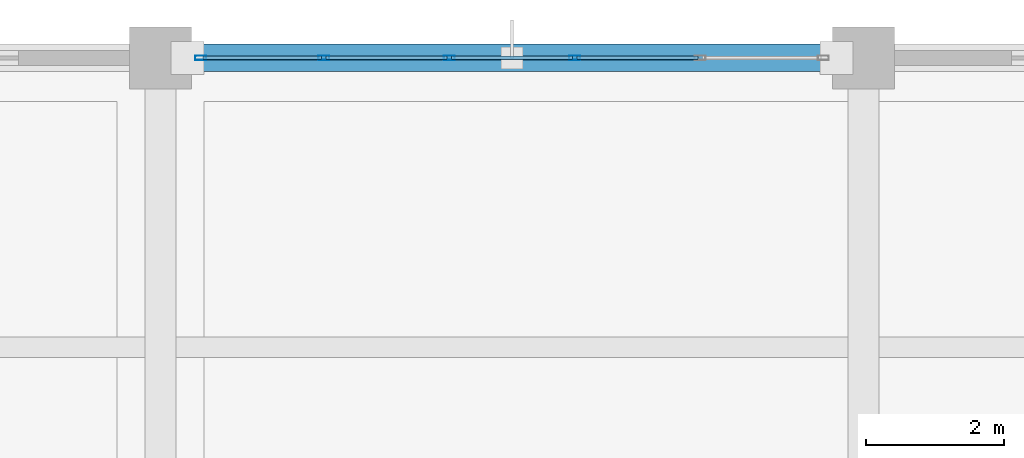
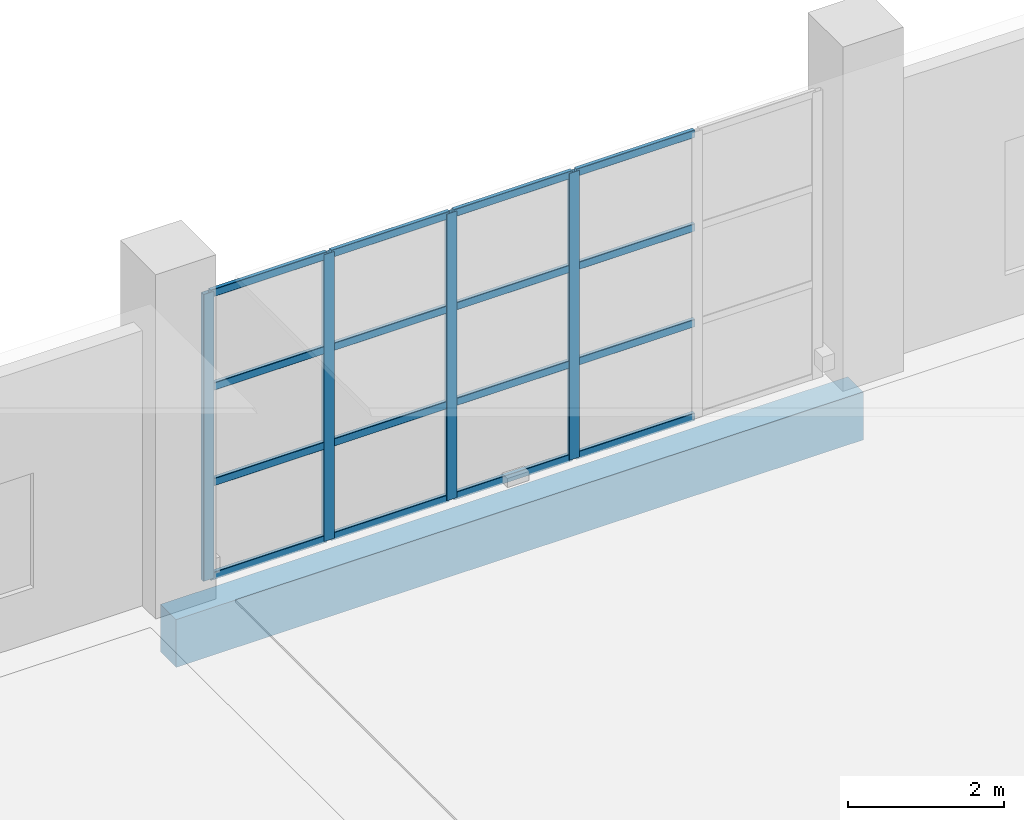
# One storey, part 93 of 175: 20 members, 1 beam, 1 element without a shape of its own.
"""IFC4 building model written with IfcOpenShell, lengths in metres."""

from ifc_helpers import new_model, si_unit, direction, frame, origin, origin_2d, place, context, subcontext, project, spatial, rectangle, hollow_rectangle, extrude, material, material_profile, profile_set, type_object, element, aggregate, save


model = new_model("IFC4")

# Units and contexts
model_context = context("Model", 3, precision=1e-05, world=origin(), true_north=direction((0.0, 1.0)))
body_context = subcontext(model_context, "Body", "Model", "MODEL_VIEW")
ifc_project = project(units=[si_unit("LENGTHUNIT", "METRE"), si_unit("AREAUNIT", "SQUARE_METRE"), si_unit("VOLUMEUNIT", "CUBIC_METRE"), si_unit("PLANEANGLEUNIT", "RADIAN"), si_unit("MASSUNIT", "GRAM", prefix="KILO")], contexts=[model_context])

# Site, building, storey
site_placement = place(None, origin())
site = spatial("IfcSite", under=ifc_project, at=site_placement, CompositionType="ELEMENT")
building_placement = place(site_placement, origin())
building = spatial("IfcBuilding", under=site, at=building_placement, Name="Brelvane Convention Centre", CompositionType="ELEMENT")
storey_placement = place(building_placement, frame((0.0, 0.0, 5.39990234375)))
storey = spatial("IfcBuildingStorey", under=building, at=storey_placement, Name="L01", CompositionType="ELEMENT", Elevation=5.39990234375)

# Curtain wall, members
ifc_material_1 = material(Name="Anodised Aluminium Alloy 6063-T6", Category="aluminium")
curtain_wall_type = type_object("IfcCurtainWallType", Name="Curtain Wall CW-BOUL", PredefinedType="USERDEFINED", material=ifc_material_1)
curtain_wall_placement = place(storey_placement, origin())
curtain_wall = element("IfcCurtainWall", 1, at=curtain_wall_placement, inside=storey, type_object=curtain_wall_type, Name="Curtain Wall CW-BOUL L01-V4N-08", ObjectType="UNITISED", PredefinedType="USERDEFINED")
ifc_material_2 = material(Name="Anodised Aluminium Alloy 6063-T6", Category="aluminium")
ifc_material_profile_1 = material_profile(ifc_material_2, hollow_rectangle(XDim=0.06494140625, YDim=0.159912109375, WallThickness=0.00390625, InnerFilletRadius=0.00390625, OuterFilletRadius=0.008056640625, at=origin_2d()), Name="ALU-M 160x65x4.0")
ifc_profile_set_1 = profile_set([ifc_material_profile_1], Name="Anodised Aluminium Alloy 6063-T6")
member_type_1 = type_object("IfcMemberType", Name="Curtain Mullion CW-M3", PredefinedType="MULLION", material=ifc_profile_set_1)
member_1_placement = place(storey_placement, frame((71.982421875, 144.0, 0.0), z_axis=(0.0, 0.0, 1.0), x_axis=(0.0, 1.0, 0.0)))
member_1 = element("IfcMember", 2, at=member_1_placement, type_object=member_type_1, Name="CW-BOUL mullion 1", PredefinedType="MULLION", context=body_context, shape_type="SweptSolid", body=[
    extrude(hollow_rectangle(XDim=0.06494140625, YDim=0.159912109375, WallThickness=0.00390625, InnerFilletRadius=0.00390625, OuterFilletRadius=0.008056640625, at=origin_2d()), origin(), (0.0, 0.0, 1.0), 4.5),
])
member_2_placement = place(storey_placement, frame((73.77001953125, 144.0, 0.0), z_axis=(0.0, 0.0, 1.0), x_axis=(0.0, 1.0, 0.0)))
member_2 = element("IfcMember", 3, at=member_2_placement, type_object=member_type_1, Name="CW-BOUL mullion 2", PredefinedType="MULLION", context=body_context, shape_type="SweptSolid", body=[
    extrude(hollow_rectangle(XDim=0.06494140625, YDim=0.159912109375, WallThickness=0.00390625, InnerFilletRadius=0.00390625, OuterFilletRadius=0.008056640625, at=origin_2d()), origin(), (0.0, 0.0, 1.0), 4.5),
])
member_3_placement = place(storey_placement, frame((75.590087890625, 144.0, 0.0), z_axis=(0.0, 0.0, 1.0), x_axis=(0.0, 1.0, 0.0)))
member_3 = element("IfcMember", 4, at=member_3_placement, type_object=member_type_1, Name="CW-BOUL mullion 3", PredefinedType="MULLION", context=body_context, shape_type="SweptSolid", body=[
    extrude(hollow_rectangle(XDim=0.06494140625, YDim=0.159912109375, WallThickness=0.00390625, InnerFilletRadius=0.00390625, OuterFilletRadius=0.008056640625, at=origin_2d()), origin(), (0.0, 0.0, 1.0), 4.5),
])
member_4_placement = place(storey_placement, frame((77.409912109375, 144.0, 0.0), z_axis=(0.0, 0.0, 1.0), x_axis=(0.0, 1.0, 0.0)))
member_4 = element("IfcMember", 5, at=member_4_placement, type_object=member_type_1, Name="CW-BOUL mullion 4", PredefinedType="MULLION", context=body_context, shape_type="SweptSolid", body=[
    extrude(hollow_rectangle(XDim=0.06494140625, YDim=0.159912109375, WallThickness=0.00390625, InnerFilletRadius=0.00390625, OuterFilletRadius=0.008056640625, at=origin_2d()), origin(), (0.0, 0.0, 1.0), 4.5),
])
ifc_material_3 = material(Name="Anodised Aluminium Alloy 6063-T6", Category="aluminium")
ifc_material_profile_2 = material_profile(ifc_material_3, hollow_rectangle(XDim=0.06005859375, YDim=0.1201171875, WallThickness=0.00390625, InnerFilletRadius=0.00390625, OuterFilletRadius=0.008056640625, at=origin_2d()), Name="ALU-T 120x60x4.0")
ifc_profile_set_2 = profile_set([ifc_material_profile_2], Name="Anodised Aluminium Alloy 6063-T6")
member_type_2 = type_object("IfcMemberType", Name="Curtain Transom CW-T3", PredefinedType="USERDEFINED", material=ifc_profile_set_2)
member_5_placement = place(storey_placement, frame((72.014892578125, 144.0, 0.030029296875), z_axis=(1.0, 0.0, 0.0), x_axis=(0.0, 1.0, 0.0)))
member_5 = element("IfcMember", 6, at=member_5_placement, type_object=member_type_2, Name="CW-BOUL transom 1.1", ObjectType="TRANSOM", PredefinedType="USERDEFINED", context=body_context, shape_type="SweptSolid", body=[
    extrude(hollow_rectangle(XDim=0.06005859375, YDim=0.1201171875, WallThickness=0.00390625, InnerFilletRadius=0.00390625, OuterFilletRadius=0.008056640625, at=origin_2d()), origin(), (0.0, 0.0, 1.0), 1.72265625),
])
member_6_placement = place(storey_placement, frame((72.014892578125, 144.0, 1.5), z_axis=(1.0, 0.0, 0.0), x_axis=(0.0, 1.0, 0.0)))
member_6 = element("IfcMember", 7, at=member_6_placement, type_object=member_type_2, Name="CW-BOUL transom 1.2", ObjectType="TRANSOM", PredefinedType="USERDEFINED", context=body_context, shape_type="SweptSolid", body=[
    extrude(hollow_rectangle(XDim=0.06005859375, YDim=0.1201171875, WallThickness=0.00390625, InnerFilletRadius=0.00390625, OuterFilletRadius=0.008056640625, at=origin_2d()), origin(), (0.0, 0.0, 1.0), 1.72265625),
])
member_7_placement = place(storey_placement, frame((72.014892578125, 144.0, 3.0), z_axis=(1.0, 0.0, 0.0), x_axis=(0.0, 1.0, 0.0)))
member_7 = element("IfcMember", 8, at=member_7_placement, type_object=member_type_2, Name="CW-BOUL transom 1.3", ObjectType="TRANSOM", PredefinedType="USERDEFINED", context=body_context, shape_type="SweptSolid", body=[
    extrude(hollow_rectangle(XDim=0.06005859375, YDim=0.1201171875, WallThickness=0.00390625, InnerFilletRadius=0.00390625, OuterFilletRadius=0.008056640625, at=origin_2d()), origin(), (0.0, 0.0, 1.0), 1.72265625),
])
member_8_placement = place(storey_placement, frame((72.014892578125, 144.0, 4.47021484375), z_axis=(1.0, 0.0, 0.0), x_axis=(0.0, 1.0, 0.0)))
member_8 = element("IfcMember", 9, at=member_8_placement, type_object=member_type_2, Name="CW-BOUL transom 1.4", ObjectType="TRANSOM", PredefinedType="USERDEFINED", context=body_context, shape_type="SweptSolid", body=[
    extrude(hollow_rectangle(XDim=0.06005859375, YDim=0.1201171875, WallThickness=0.00390625, InnerFilletRadius=0.00390625, OuterFilletRadius=0.008056640625, at=origin_2d()), origin(), (0.0, 0.0, 1.0), 1.72265625),
])
member_9_placement = place(storey_placement, frame((73.802490234375, 144.0, 0.030029296875), z_axis=(1.0, 0.0, 0.0), x_axis=(0.0, 1.0, 0.0)))
member_9 = element("IfcMember", 10, at=member_9_placement, type_object=member_type_2, Name="CW-BOUL transom 2.1", ObjectType="TRANSOM", PredefinedType="USERDEFINED", context=body_context, shape_type="SweptSolid", body=[
    extrude(hollow_rectangle(XDim=0.06005859375, YDim=0.1201171875, WallThickness=0.00390625, InnerFilletRadius=0.00390625, OuterFilletRadius=0.008056640625, at=origin_2d()), origin(), (0.0, 0.0, 1.0), 1.755126953125),
])
member_10_placement = place(storey_placement, frame((73.802490234375, 144.0, 1.5), z_axis=(1.0, 0.0, 0.0), x_axis=(0.0, 1.0, 0.0)))
member_10 = element("IfcMember", 11, at=member_10_placement, type_object=member_type_2, Name="CW-BOUL transom 2.2", ObjectType="TRANSOM", PredefinedType="USERDEFINED", context=body_context, shape_type="SweptSolid", body=[
    extrude(hollow_rectangle(XDim=0.06005859375, YDim=0.1201171875, WallThickness=0.00390625, InnerFilletRadius=0.00390625, OuterFilletRadius=0.008056640625, at=origin_2d()), origin(), (0.0, 0.0, 1.0), 1.755126953125),
])
member_11_placement = place(storey_placement, frame((73.802490234375, 144.0, 3.0), z_axis=(1.0, 0.0, 0.0), x_axis=(0.0, 1.0, 0.0)))
member_11 = element("IfcMember", 12, at=member_11_placement, type_object=member_type_2, Name="CW-BOUL transom 2.3", ObjectType="TRANSOM", PredefinedType="USERDEFINED", context=body_context, shape_type="SweptSolid", body=[
    extrude(hollow_rectangle(XDim=0.06005859375, YDim=0.1201171875, WallThickness=0.00390625, InnerFilletRadius=0.00390625, OuterFilletRadius=0.008056640625, at=origin_2d()), origin(), (0.0, 0.0, 1.0), 1.755126953125),
])
member_12_placement = place(storey_placement, frame((73.802490234375, 144.0, 4.47021484375), z_axis=(1.0, 0.0, 0.0), x_axis=(0.0, 1.0, 0.0)))
member_12 = element("IfcMember", 13, at=member_12_placement, type_object=member_type_2, Name="CW-BOUL transom 2.4", ObjectType="TRANSOM", PredefinedType="USERDEFINED", context=body_context, shape_type="SweptSolid", body=[
    extrude(hollow_rectangle(XDim=0.06005859375, YDim=0.1201171875, WallThickness=0.00390625, InnerFilletRadius=0.00390625, OuterFilletRadius=0.008056640625, at=origin_2d()), origin(), (0.0, 0.0, 1.0), 1.755126953125),
])
member_13_placement = place(storey_placement, frame((75.62255859375, 144.0, 0.030029296875), z_axis=(1.0, 0.0, 0.0), x_axis=(0.0, 1.0, 0.0)))
member_13 = element("IfcMember", 14, at=member_13_placement, type_object=member_type_2, Name="CW-BOUL transom 3.1", ObjectType="TRANSOM", PredefinedType="USERDEFINED", context=body_context, shape_type="SweptSolid", body=[
    extrude(hollow_rectangle(XDim=0.06005859375, YDim=0.1201171875, WallThickness=0.00390625, InnerFilletRadius=0.00390625, OuterFilletRadius=0.008056640625, at=origin_2d()), origin(), (0.0, 0.0, 1.0), 1.7548828125),
])
member_14_placement = place(storey_placement, frame((75.62255859375, 144.0, 1.5), z_axis=(1.0, 0.0, 0.0), x_axis=(0.0, 1.0, 0.0)))
member_14 = element("IfcMember", 15, at=member_14_placement, type_object=member_type_2, Name="CW-BOUL transom 3.2", ObjectType="TRANSOM", PredefinedType="USERDEFINED", context=body_context, shape_type="SweptSolid", body=[
    extrude(hollow_rectangle(XDim=0.06005859375, YDim=0.1201171875, WallThickness=0.00390625, InnerFilletRadius=0.00390625, OuterFilletRadius=0.008056640625, at=origin_2d()), origin(), (0.0, 0.0, 1.0), 1.7548828125),
])
member_15_placement = place(storey_placement, frame((75.62255859375, 144.0, 3.0), z_axis=(1.0, 0.0, 0.0), x_axis=(0.0, 1.0, 0.0)))
member_15 = element("IfcMember", 16, at=member_15_placement, type_object=member_type_2, Name="CW-BOUL transom 3.3", ObjectType="TRANSOM", PredefinedType="USERDEFINED", context=body_context, shape_type="SweptSolid", body=[
    extrude(hollow_rectangle(XDim=0.06005859375, YDim=0.1201171875, WallThickness=0.00390625, InnerFilletRadius=0.00390625, OuterFilletRadius=0.008056640625, at=origin_2d()), origin(), (0.0, 0.0, 1.0), 1.7548828125),
])
member_16_placement = place(storey_placement, frame((75.62255859375, 144.0, 4.47021484375), z_axis=(1.0, 0.0, 0.0), x_axis=(0.0, 1.0, 0.0)))
member_16 = element("IfcMember", 17, at=member_16_placement, type_object=member_type_2, Name="CW-BOUL transom 3.4", ObjectType="TRANSOM", PredefinedType="USERDEFINED", context=body_context, shape_type="SweptSolid", body=[
    extrude(hollow_rectangle(XDim=0.06005859375, YDim=0.1201171875, WallThickness=0.00390625, InnerFilletRadius=0.00390625, OuterFilletRadius=0.008056640625, at=origin_2d()), origin(), (0.0, 0.0, 1.0), 1.7548828125),
])
member_17_placement = place(storey_placement, frame((77.4423828125, 144.0, 0.030029296875), z_axis=(1.0, 0.0, 0.0), x_axis=(0.0, 1.0, 0.0)))
member_17 = element("IfcMember", 18, at=member_17_placement, type_object=member_type_2, Name="CW-BOUL transom 4.1", ObjectType="TRANSOM", PredefinedType="USERDEFINED", context=body_context, shape_type="SweptSolid", body=[
    extrude(hollow_rectangle(XDim=0.06005859375, YDim=0.1201171875, WallThickness=0.00390625, InnerFilletRadius=0.00390625, OuterFilletRadius=0.008056640625, at=origin_2d()), origin(), (0.0, 0.0, 1.0), 1.755126953125),
])
member_18_placement = place(storey_placement, frame((77.4423828125, 144.0, 1.5), z_axis=(1.0, 0.0, 0.0), x_axis=(0.0, 1.0, 0.0)))
member_18 = element("IfcMember", 19, at=member_18_placement, type_object=member_type_2, Name="CW-BOUL transom 4.2", ObjectType="TRANSOM", PredefinedType="USERDEFINED", context=body_context, shape_type="SweptSolid", body=[
    extrude(hollow_rectangle(XDim=0.06005859375, YDim=0.1201171875, WallThickness=0.00390625, InnerFilletRadius=0.00390625, OuterFilletRadius=0.008056640625, at=origin_2d()), origin(), (0.0, 0.0, 1.0), 1.755126953125),
])
member_19_placement = place(storey_placement, frame((77.4423828125, 144.0, 3.0), z_axis=(1.0, 0.0, 0.0), x_axis=(0.0, 1.0, 0.0)))
member_19 = element("IfcMember", 20, at=member_19_placement, type_object=member_type_2, Name="CW-BOUL transom 4.3", ObjectType="TRANSOM", PredefinedType="USERDEFINED", context=body_context, shape_type="SweptSolid", body=[
    extrude(hollow_rectangle(XDim=0.06005859375, YDim=0.1201171875, WallThickness=0.00390625, InnerFilletRadius=0.00390625, OuterFilletRadius=0.008056640625, at=origin_2d()), origin(), (0.0, 0.0, 1.0), 1.755126953125),
])
member_20_placement = place(storey_placement, frame((77.4423828125, 144.0, 4.47021484375), z_axis=(1.0, 0.0, 0.0), x_axis=(0.0, 1.0, 0.0)))
member_20 = element("IfcMember", 21, at=member_20_placement, type_object=member_type_2, Name="CW-BOUL transom 4.4", ObjectType="TRANSOM", PredefinedType="USERDEFINED", context=body_context, shape_type="SweptSolid", body=[
    extrude(hollow_rectangle(XDim=0.06005859375, YDim=0.1201171875, WallThickness=0.00390625, InnerFilletRadius=0.00390625, OuterFilletRadius=0.008056640625, at=origin_2d()), origin(), (0.0, 0.0, 1.0), 1.755126953125),
])
aggregate(curtain_wall, [member_1, member_2, member_3, member_4, member_5, member_6, member_7, member_8, member_9, member_10, member_11, member_12, member_13, member_14, member_15, member_16, member_17, member_18, member_19, member_20])

# Beam
ifc_material_4 = material(Name="Concrete M40", Category="concrete")
ifc_material_profile_3 = material_profile(ifc_material_4, rectangle(XDim=0.39990234375, YDim=0.75, at=origin_2d()), Name="RC 400x750")
ifc_profile_set_3 = profile_set([ifc_material_profile_3], Name="Concrete M40")
beam_type = type_object("IfcBeamType", Name="RC Spandrel SP-RC1 (RC 400x750)", PredefinedType="SPANDREL", material=ifc_profile_set_3)
beam_placement = place(storey_placement, frame((71.39990234375, 144.0, -0.69482421875), z_axis=(1.0, 0.0, 0.0), x_axis=(0.0, 1.0, 0.0)))
element("IfcBeam", 22, at=beam_placement, inside=storey, type_object=beam_type, Name="L01 Beam 8-9/Q", PredefinedType="SPANDREL", context=body_context, shape_type="SweptSolid", body=[
    extrude(rectangle(XDim=0.39990234375, YDim=0.75, at=origin_2d()), origin(), (0.0, 0.0, 1.0), 10.2001953125),
])

save(model, "model.ifc")
